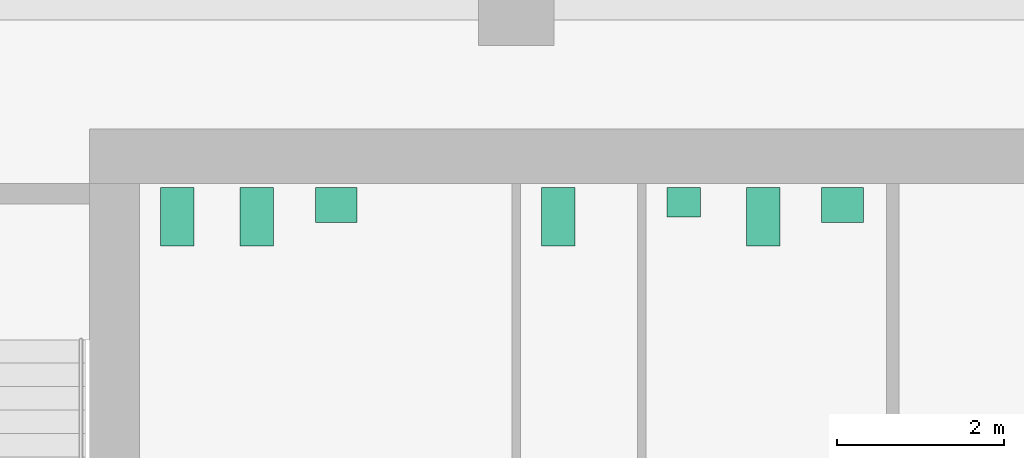
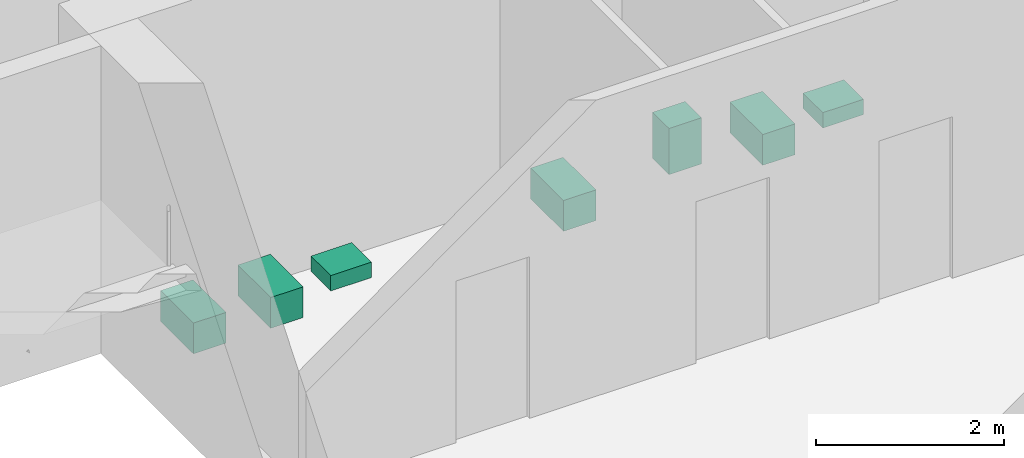
# One storey, part 8 of 8: 7 sanitary terminals.
"""IFC4 building model written with IfcOpenShell, lengths in metres."""

import ifcopenshell
import ifcopenshell.guid

model = None  # the IFC model being written
_history = None  # IfcOwnerHistory: only IFC2X3 demands one
_inside = {}  # id of a spatial element -> (the spatial element, [elements in it])
_under = {}  # id of a project, library or spatial element -> (it, [spatial elements below it])
_declared = {}  # id of a project -> (the project, [libraries it declares])
_typed = {}  # id of a type object -> (the type object, [elements of that type])
_made_of = {}  # id of a material, layer set ... -> (it, [elements and type objects made of it])


def new_model(schema):
    """Start an empty IFC model of exactly this schema.

    Asked for "IFC4X3", IfcOpenShell would pick the latest addendum, in which some entities
    have other attributes; the version numbers below select the first issue.
    IFC2X3 requires an IfcOwnerHistory on every rooted entity: one is made here for all.
    """
    global model, _history
    if schema == "IFC4X3":
        model = ifcopenshell.file(schema_version=(4, 3, 0, 0))
    else:
        model = ifcopenshell.file(schema=schema)
    _inside.clear()
    _under.clear()
    _declared.clear()
    _typed.clear()
    _made_of.clear()
    _history = None
    if model.schema == "IFC2X3":
        org = make("IfcOrganization", Name="unknown")
        user = make(
            "IfcPersonAndOrganization",
            ThePerson=make("IfcPerson", FamilyName="unknown"),
            TheOrganization=org,
        )
        app = make(
            "IfcApplication",
            ApplicationDeveloper=org,
            Version="unknown",
            ApplicationFullName="unknown",
            ApplicationIdentifier="unknown",
        )
        _history = make(
            "IfcOwnerHistory",
            OwningUser=user,
            OwningApplication=app,
            ChangeAction="ADDED",
            CreationDate=0,
        )
    return model


def make(cls, **values):
    """One entity of the class cls with the attributes given. An attribute that is None is left unset."""
    return model.create_entity(
        cls, **{name: value for name, value in values.items() if value is not None}
    )


def rooted(cls, **values):
    """An entity with a GlobalId (a new one), such as an element, a storey or a relation."""
    return make(cls, GlobalId=ifcopenshell.guid.new(), OwnerHistory=_history, **values)


def si_unit(unit_type, name, prefix=None):
    """IfcSIUnit, for example si_unit("LENGTHUNIT", "METRE", prefix="MILLI")."""
    return make("IfcSIUnit", UnitType=unit_type, Prefix=prefix, Name=name)


def assignment(units):
    """IfcUnitAssignment: the units of a project."""
    return None if units is None else make("IfcUnitAssignment", Units=units)


def point(xyz):
    """IfcCartesianPoint."""
    return None if xyz is None else make("IfcCartesianPoint", Coordinates=xyz)


def direction(xyz):
    """IfcDirection."""
    return None if xyz is None else make("IfcDirection", DirectionRatios=xyz)


def frame(location, z_axis=None, x_axis=None):
    """IfcAxis2Placement3D, a coordinate frame: its origin and axes. An axis left out is left unset."""
    return make(
        "IfcAxis2Placement3D",
        Location=point(location),
        Axis=direction(z_axis),
        RefDirection=direction(x_axis),
    )


def frame_2d(location, x_axis=None):
    """IfcAxis2Placement2D, a coordinate frame in the plane: its origin and x axis."""
    return make(
        "IfcAxis2Placement2D", Location=point(location), RefDirection=direction(x_axis)
    )


def origin():
    """The frame at (0, 0, 0) with its axes left unset."""
    return frame((0.0, 0.0, 0.0))


def origin_2d():
    """The frame at (0, 0) in the plane with its x axis left unset."""
    return frame_2d((0.0, 0.0))


def place(relative_to, where):
    """IfcLocalPlacement: puts the frame where relative to a parent placement (None: the world)."""
    return make(
        "IfcLocalPlacement", PlacementRelTo=relative_to, RelativePlacement=where
    )


def context(
    kind, dimensions, precision=None, world=None, true_north=None, identifier=None
):
    """IfcGeometricRepresentationContext, for example the 3D "Model" context."""
    return make(
        "IfcGeometricRepresentationContext",
        ContextIdentifier=identifier,
        ContextType=kind,
        CoordinateSpaceDimension=dimensions,
        Precision=precision,
        WorldCoordinateSystem=world,
        TrueNorth=true_north,
    )


def subcontext(parent, identifier, kind, view, scale=None):
    """IfcGeometricRepresentationSubContext, for example "Body" below "Model"."""
    return make(
        "IfcGeometricRepresentationSubContext",
        ContextIdentifier=identifier,
        ContextType=kind,
        ParentContext=parent,
        TargetScale=scale,
        TargetView=view,
    )


def project(units=None, contexts=None):
    """IfcProject with its units and contexts."""
    return rooted(
        "IfcProject",
        Name="project",
        RepresentationContexts=contexts,
        UnitsInContext=assignment(units),
    )


def spatial(cls, under=None, at=None, **own):
    """A site, building, storey or space (cls), placed at a placement, below another one or the project."""
    s = rooted(cls, ObjectPlacement=at, **own)
    if under is not None:
        _under.setdefault(under.id(), (under, []))[1].append(s)
    return s


def profile(cls, at=None, kind="AREA", **sizes):
    """A parametric profile (cls). Its sizes go by their IFC names, for example OverallWidth=200.0."""
    return make(cls, ProfileType=kind, Position=at, **sizes)


def rectangle(**sizes):
    """IfcRectangleProfileDef."""
    return profile("IfcRectangleProfileDef", **sizes)


def extrude(swept, where, along, depth):
    """IfcExtrudedAreaSolid: the profile swept, set in the frame where, extruded along a direction by depth."""
    return make(
        "IfcExtrudedAreaSolid",
        SweptArea=swept,
        Position=where,
        ExtrudedDirection=direction(along),
        Depth=depth,
    )


def shape(context_of_items, identifier, shape_type, items):
    """IfcShapeRepresentation: the items that make up one representation, for example the "Body"."""
    return make(
        "IfcShapeRepresentation",
        ContextOfItems=context_of_items,
        RepresentationIdentifier=identifier,
        RepresentationType=shape_type,
        Items=items,
    )


def material(Name=None, Category=None):
    """IfcMaterial."""
    return make("IfcMaterial", Name=Name, Category=Category)


def made_of(thing, what):
    """Note that an element or type object is made of a material, layer set ...; save() writes the relation."""
    if what is not None:
        _made_of.setdefault(what.id(), (what, []))[1].append(thing)
    return thing


def type_object(cls, material=None, **own):
    """A type object (cls), such as IfcWallType, which elements share."""
    return made_of(rooted(cls, **own), material)


def element(
    cls,
    number,
    at=None,
    inside=None,
    cuts=None,
    type_object=None,
    material=None,
    context=None,
    identifier="Body",
    shape_type=None,
    held_by="IfcProductDefinitionShape",
    body=None,
    shapes=None,
    **own,
):
    """One element of the class cls, such as IfcWall. Its Tag is "e" and its number.

    at: its placement. inside: the storey or other place that contains it. cuts: it is an
    opening in that element (IfcRelVoidsElement). A single representation is given by context,
    identifier, shape_type and body (its items); several are given by shapes. held_by: the class
    of the entity that holds the representations. save() writes the other relations.
    """
    e = rooted(cls, Tag="e%d" % number, ObjectPlacement=at, **own)
    if body is not None:
        shapes = [shape(context, identifier, shape_type, body)]
    if shapes is not None:
        e.Representation = make(held_by, Representations=shapes)
    if inside is not None:
        _inside.setdefault(inside.id(), (inside, []))[1].append(e)
    if cuts is not None:
        rooted(
            "IfcRelVoidsElement", RelatingBuildingElement=cuts, RelatedOpeningElement=e
        )
    if type_object is not None:
        _typed.setdefault(type_object.id(), (type_object, []))[1].append(e)
    return made_of(e, material)


def aggregate(whole, parts):
    """IfcRelAggregates: a whole, such as a stair, and the parts it consists of."""
    return rooted("IfcRelAggregates", RelatingObject=whole, RelatedObjects=parts)


def save(model, path):
    """Write the relations noted so far, then the file.

    IfcRelAggregates (storeys below a building ...), IfcRelContainedInSpatialStructure (elements
    in a storey), IfcRelDefinesByType, IfcRelAssociatesMaterial and IfcRelDeclares: one each for
    every whole, place, type object, material and project.
    """
    for whole, parts in _under.values():
        aggregate(whole, parts)
    for where, things in _inside.values():
        rooted(
            "IfcRelContainedInSpatialStructure",
            RelatedElements=things,
            RelatingStructure=where,
        )
    for kind, things in _typed.values():
        rooted("IfcRelDefinesByType", RelatedObjects=things, RelatingType=kind)
    for what, things in _made_of.values():
        rooted("IfcRelAssociatesMaterial", RelatedObjects=things, RelatingMaterial=what)
    for by, libraries in _declared.values():
        rooted("IfcRelDeclares", RelatingContext=by, RelatedDefinitions=libraries)
    model.write(path)


model = new_model("IFC4")

# Units and contexts
model_context = context("Model", 3, precision=1e-05, world=origin(), true_north=direction((0.0, 1.0)))
body_context = subcontext(model_context, "Body", "Model", "MODEL_VIEW")
ifc_project = project(units=[si_unit("LENGTHUNIT", "METRE"), si_unit("AREAUNIT", "SQUARE_METRE"), si_unit("VOLUMEUNIT", "CUBIC_METRE"), si_unit("PLANEANGLEUNIT", "RADIAN"), si_unit("MASSUNIT", "GRAM", prefix="KILO")], contexts=[model_context])

# Site, building, storey
site_placement = place(None, origin())
site = spatial("IfcSite", under=ifc_project, at=site_placement, CompositionType="ELEMENT")
building_placement = place(site_placement, origin())
building = spatial("IfcBuilding", under=site, at=building_placement, Name="Cinnabar Reach Civic Tower", CompositionType="ELEMENT")
storey_placement = place(building_placement, frame((0.0, 0.0, 177.0)))
storey = spatial("IfcBuildingStorey", under=building, at=storey_placement, Name="L42", CompositionType="ELEMENT", Elevation=177.0)

# Sanitary terminals
ifc_material = material(Name="Vitreous china")
sanitary_terminal_type_1 = type_object("IfcSanitaryTerminalType", Name="T1 WC pan", PredefinedType="TOILETPAN", material=ifc_material)
for number, where, z_axis, x_axis, name in (
    (1, (4.95, 41.6, 0.0), (0.0, 0.0, 1.0), (1.0, 0.0, 0.0), "T1 WC pan 4209-1"),
    (2, (5.9, 41.6, 0.0), (0.0, 0.0, 1.0), (1.0, 0.0, 0.0), "T1 WC pan 4209-2"),
    (3, (9.5, 41.6, 0.0), (0.0, 0.0, 1.0), (1.0, 0.0, 0.0), "T1 WC pan 4210-1"),
    (4, (11.95, 41.6, 0.0), (0.0, 0.0, 1.0), (1.0, 0.0, 0.0), "T1 WC pan 4211-2"),
):
    element("IfcSanitaryTerminal", number, at=place(storey_placement, frame(where, z_axis=z_axis, x_axis=x_axis)), inside=storey, type_object=sanitary_terminal_type_1, Name=name, PredefinedType="TOILETPAN", context=body_context, shape_type="SweptSolid", body=[
        extrude(rectangle(XDim=0.4, YDim=0.7, at=origin_2d()), origin(), (0.0, 0.0, 1.0), 0.4),
    ])
sanitary_terminal_type_2 = type_object("IfcSanitaryTerminalType", Name="T1 urinal", PredefinedType="URINAL", material=ifc_material)
sanitary_terminal_placement = place(storey_placement, frame((11.0, 41.775, 0.0), z_axis=(0.0, 0.0, 1.0), x_axis=(1.0, 0.0, 0.0)))
element("IfcSanitaryTerminal", 5, at=sanitary_terminal_placement, inside=storey, type_object=sanitary_terminal_type_2, Name="T1 urinal 4211-1", PredefinedType="URINAL", context=body_context, shape_type="SweptSolid", body=[
    extrude(rectangle(XDim=0.4, YDim=0.35, at=origin_2d()), origin(), (0.0, 0.0, 1.0), 0.6),
])
sanitary_terminal_type_3 = type_object("IfcSanitaryTerminalType", Name="T1 wash basin", PredefinedType="WASHHANDBASIN", material=ifc_material)
for number, where, z_axis, x_axis, name in (
    (6, (6.85, 41.74, 0.0), (0.0, 0.0, 1.0), (1.0, 0.0, 0.0), "T1 wash basin 4209-3"),
    (7, (12.9, 41.74, 0.0), (0.0, 0.0, 1.0), (1.0, 0.0, 0.0), "T1 wash basin 4211-3"),
):
    element("IfcSanitaryTerminal", number, at=place(storey_placement, frame(where, z_axis=z_axis, x_axis=x_axis)), inside=storey, type_object=sanitary_terminal_type_3, Name=name, PredefinedType="WASHHANDBASIN", context=body_context, shape_type="SweptSolid", body=[
        extrude(rectangle(XDim=0.5, YDim=0.42, at=origin_2d()), origin(), (0.0, 0.0, 1.0), 0.2),
    ])

save(model, "model.ifc")
